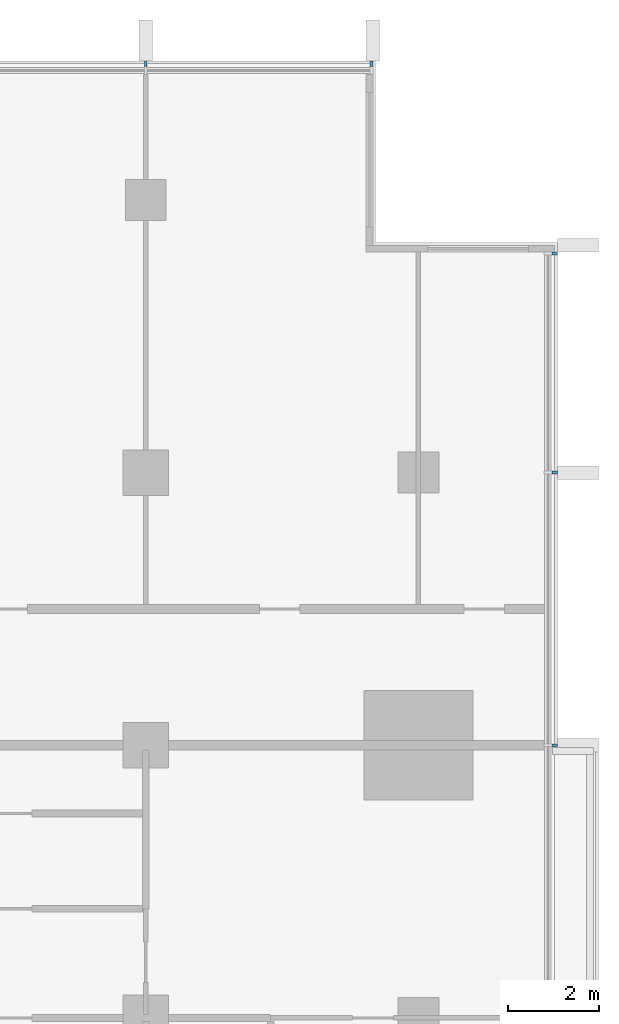
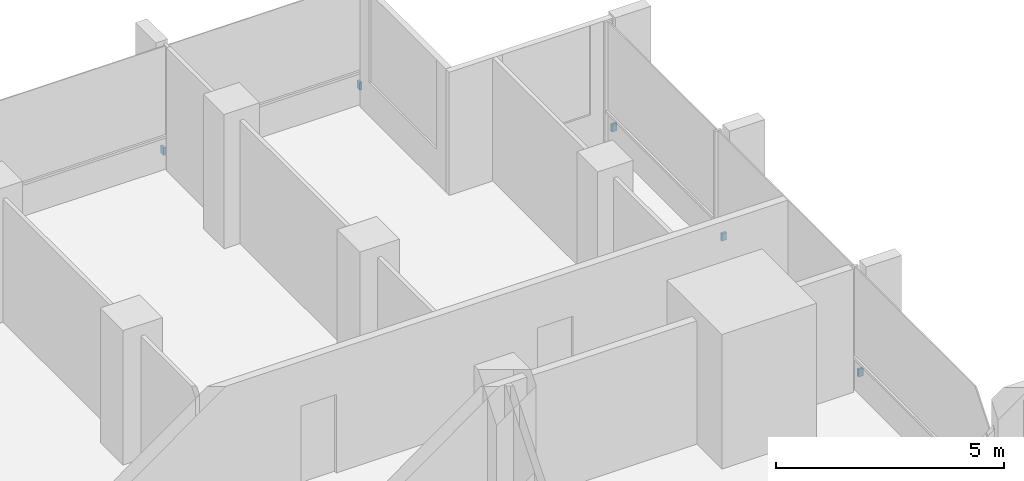
# One storey, part 15 of 16: 5 discrete accessories.
"""IFC4 building model written with IfcOpenShell, lengths in metres."""

from ifc_helpers import new_model, si_unit, direction, frame, origin, origin_2d, place, context, subcontext, project, spatial, rectangle, extrude, material, type_object, element, save


model = new_model("IFC4")

# Units and contexts
model_context = context("Model", 3, precision=1e-05, world=origin(), true_north=direction((0.0, 1.0)))
body_context = subcontext(model_context, "Body", "Model", "MODEL_VIEW")
ifc_project = project(units=[si_unit("LENGTHUNIT", "METRE"), si_unit("AREAUNIT", "SQUARE_METRE"), si_unit("VOLUMEUNIT", "CUBIC_METRE"), si_unit("PLANEANGLEUNIT", "RADIAN"), si_unit("MASSUNIT", "GRAM", prefix="KILO")], contexts=[model_context])

# Site, building, storey
site_placement = place(None, origin())
site = spatial("IfcSite", under=ifc_project, at=site_placement, CompositionType="ELEMENT")
building_placement = place(site_placement, origin())
building = spatial("IfcBuilding", under=site, at=building_placement, Name="Finial Court Residences", CompositionType="ELEMENT")
storey_placement = place(building_placement, frame((0.0, 0.0, 185.300048828125)))
storey = spatial("IfcBuildingStorey", under=building, at=storey_placement, Name="L46", CompositionType="ELEMENT", Elevation=185.300048828125)

# Discrete accessories
ifc_material = material(Name="Stainless steel 316", Category="steel")
discrete_accessory_type = type_object("IfcDiscreteAccessoryType", Name="Fin bracket, stainless steel 60 x 122 x 200", PredefinedType="BRACKET", material=ifc_material)
for number, where, z_axis, x_axis, name in (
    (1, (10.5, 22.498779296875, 0.2998046875), (0.0, 0.0, 1.0), (1.0, 0.0, 0.0), "E-L46-FIN-N5-BRK"),
    (2, (15.469970703125, 22.498779296875, 0.2998046875), (0.0, 0.0, 1.0), (1.0, 0.0, 0.0), "E-L46-FIN-N6-BRK"),
):
    element("IfcDiscreteAccessory", number, at=place(storey_placement, frame(where, z_axis=z_axis, x_axis=x_axis)), inside=storey, type_object=discrete_accessory_type, Name=name, PredefinedType="BRACKET", context=body_context, shape_type="SweptSolid", body=[
        extrude(rectangle(XDim=0.06005859375, YDim=0.12255859375, at=origin_2d()), origin(), (0.0, 0.0, 1.0), 0.199951171875),
    ])
for number, where, z_axis, x_axis, name in (
    (3, (19.498779296875, 7.5, 0.2998046875), (0.0, 0.0, 1.0), (1.0, 0.0, 0.0), "E-L46-FIN-E11-BRK"),
    (4, (19.498779296875, 13.5, 0.2998046875), (0.0, 0.0, 1.0), (1.0, 0.0, 0.0), "E-L46-FIN-E12-BRK"),
    (5, (19.498779296875, 18.320068359375, 0.2998046875), (0.0, 0.0, 1.0), (1.0, 0.0, 0.0), "E-L46-FIN-E13-BRK"),
):
    element("IfcDiscreteAccessory", number, at=place(storey_placement, frame(where, z_axis=z_axis, x_axis=x_axis)), inside=storey, type_object=discrete_accessory_type, Name=name, PredefinedType="BRACKET", context=body_context, shape_type="SweptSolid", body=[
        extrude(rectangle(XDim=0.12255859375, YDim=0.06005859375, at=origin_2d()), origin(), (0.0, 0.0, 1.0), 0.199951171875),
    ])

save(model, "model.ifc")
